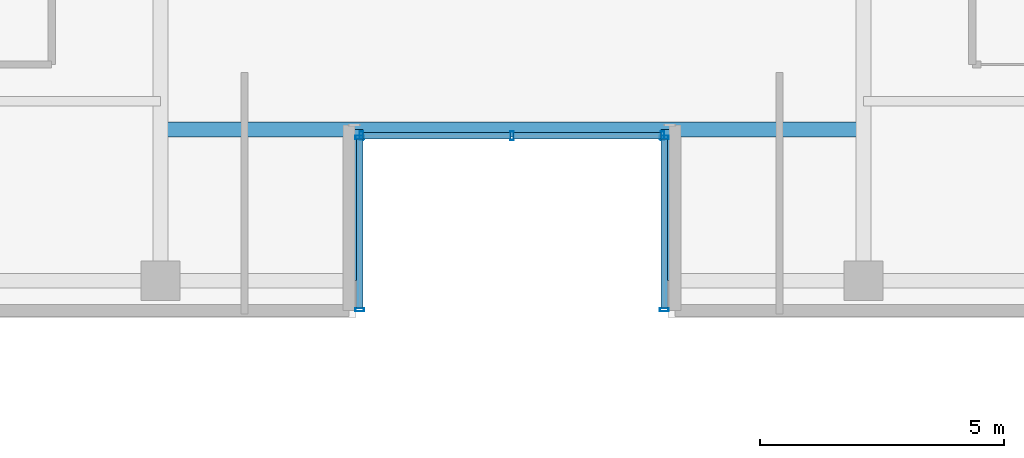
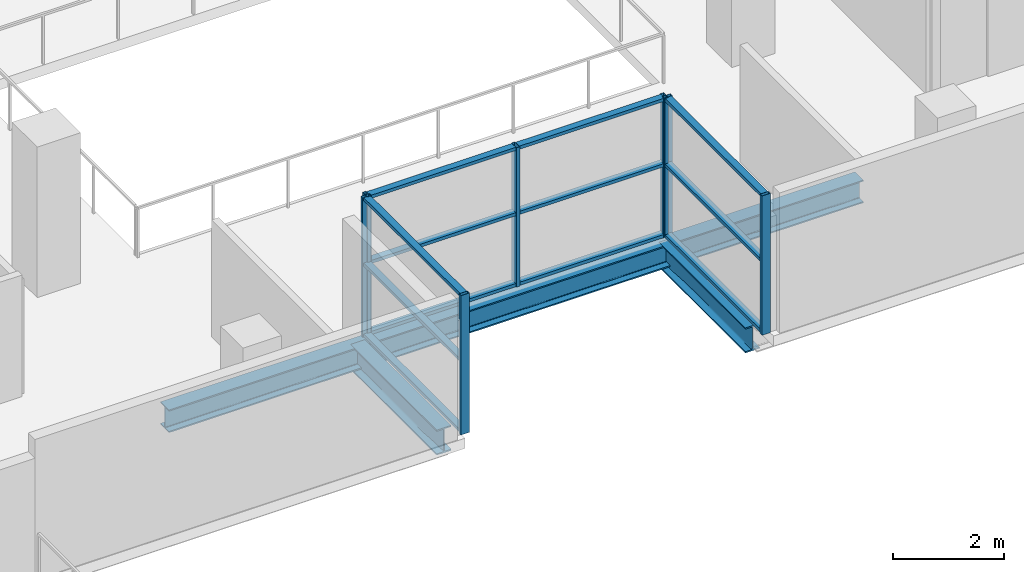
# One storey, part 3 of 23: 19 members, 3 beams, 3 elements without a shape of their own.
"""IFC4 building model written with IfcOpenShell, lengths in metres."""

from ifc_helpers import new_model, si_unit, direction, frame, origin, origin_2d, place, context, subcontext, project, spatial, hollow_rectangle, i_section, extrude, source, transform, mapped, material, layer, layer_set, material_profile, profile_set, type_object, element, aggregate, save


model = new_model("IFC4")

# Units and contexts
model_context = context("Model", 3, precision=1e-05, world=origin(), true_north=direction((0.0, 1.0)))
body_context = subcontext(model_context, "Body", "Model", "MODEL_VIEW")
ifc_project = project(units=[si_unit("LENGTHUNIT", "METRE"), si_unit("AREAUNIT", "SQUARE_METRE"), si_unit("VOLUMEUNIT", "CUBIC_METRE"), si_unit("PLANEANGLEUNIT", "RADIAN"), si_unit("MASSUNIT", "GRAM", prefix="KILO")], contexts=[model_context])

# Site, building, storey
site_placement = place(None, origin())
site = spatial("IfcSite", under=ifc_project, at=site_placement, CompositionType="ELEMENT")
building_placement = place(site_placement, origin())
building = spatial("IfcBuilding", under=site, at=building_placement, Name="Zarnakvel Exchange Tower", CompositionType="ELEMENT")
storey_placement = place(building_placement, frame((0.0, 0.0, 116.5)))
storey = spatial("IfcBuildingStorey", under=building, at=storey_placement, Name="L32", CompositionType="ELEMENT", Elevation=116.5)

# Beams
ifc_material_1 = material(Name="Steel S355", Category="steel")
ifc_material_profile_1 = material_profile(ifc_material_1, i_section(OverallWidth=0.300048828125, OverallDepth=0.550048828125, WebThickness=0.014892578125, FlangeThickness=0.029052734375, FilletRadius=0.027099609375, at=origin_2d()))
ifc_profile_set_1 = profile_set([ifc_material_profile_1], Name="Steel S355")
beam_type_1 = type_object("IfcBeamType", Name="G-05", PredefinedType="BEAM", material=ifc_profile_set_1)
for number, where, z_axis, x_axis, name in (
    (1, (-3.199951171875, -16.949951171875, -0.5), (0.0, 1.0, 0.0), (-1.0, 0.0, 0.0), "L32 South Slot West Cheek Beam"),
    (2, (3.199951171875, -16.949951171875, -0.5), (0.0, 1.0, 0.0), (-1.0, 0.0, 0.0), "L32 South Slot East Cheek Beam"),
):
    element("IfcBeam", number, at=place(storey_placement, frame(where, z_axis=z_axis, x_axis=x_axis)), inside=storey, type_object=beam_type_1, Name=name, PredefinedType="BEAM", context=body_context, shape_type="SweptSolid", body=[
        extrude(i_section(OverallWidth=0.300048828125, OverallDepth=0.550048828125, WebThickness=0.014892578125, FlangeThickness=0.029052734375, FilletRadius=0.027099609375, at=origin_2d()), origin(), (0.0, 0.0, 1.0), 3.099853515625),
    ])
ifc_material_profile_2 = material_profile(ifc_material_1, i_section(OverallWidth=0.300048828125, OverallDepth=0.5, WebThickness=0.014404296875, FlangeThickness=0.028076171875, FilletRadius=0.027099609375, at=origin_2d()))
ifc_profile_set_2 = profile_set([ifc_material_profile_2], Name="Steel S355")
beam_type_2 = type_object("IfcBeamType", Name="SP-02", PredefinedType="SPANDREL", material=ifc_profile_set_2)
beam_placement = place(storey_placement, frame((-7.199951171875, -13.85009765625, -0.47509765625), z_axis=(1.0, 0.0, 0.0), x_axis=(0.0, 1.0, 0.0)))
element("IfcBeam", 3, at=beam_placement, inside=storey, type_object=beam_type_2, Name="L32 South Slot Head Trimmer Girder", PredefinedType="SPANDREL", context=body_context, shape_type="SweptSolid", body=[
    extrude(i_section(OverallWidth=0.300048828125, OverallDepth=0.5, WebThickness=0.014404296875, FlangeThickness=0.028076171875, FilletRadius=0.027099609375, at=origin_2d()), origin(), (0.0, 0.0, 1.0), 14.39990234375),
])

# Curtain wall, members
ifc_material_2 = material(Name="Architectural Bronze Anodised Aluminium", Category="aluminium")
ifc_layer = layer(ifc_material_2, 0.179931640625)
ifc_layer_set = layer_set([ifc_layer], Name="Architectural Bronze Anodised Aluminium")
curtain_wall_type = type_object("IfcCurtainWallType", Name="CW-05", PredefinedType="NOTDEFINED", material=ifc_layer_set)
curtain_wall_1_placement = place(storey_placement, origin())
curtain_wall_1 = element("IfcCurtainWall", 4, at=curtain_wall_1_placement, inside=storey, type_object=curtain_wall_type, Name="L32 Curtain Wall CW-L32-SLW (CW-05)", PredefinedType="NOTDEFINED")
ifc_material_profile_3 = material_profile(ifc_material_2, hollow_rectangle(XDim=0.139892578125, YDim=0.070068359375, WallThickness=0.00390625, at=origin_2d()))
ifc_profile_set_3 = profile_set([ifc_material_profile_3], Name="Architectural Bronze Anodised Aluminium")
member_type_1 = type_object("IfcMemberType", Name="CWT-05", PredefinedType="USERDEFINED", material=ifc_profile_set_3)
shared_shape_1 = source(origin(), body_context, "Body", "SweptSolid", [
    extrude(hollow_rectangle(XDim=0.139892578125, YDim=0.070068359375, WallThickness=0.00390625, at=origin_2d()), origin(), (0.0, 0.0, 1.0), 3.4599609375),
])
member_1_placement = place(storey_placement, frame((-3.1201171875, -17.510009765625, 0.034912109375), z_axis=(0.0, 1.0, 0.0), x_axis=(-1.0, 0.0, 0.0)))
member_1 = element("IfcMember", 5, at=member_1_placement, type_object=member_type_1, Name="CW-05 transom 1.1", ObjectType="TRANSOM", PredefinedType="USERDEFINED", context=body_context, shape_type="MappedRepresentation", body=[
    mapped(shared_shape_1, transform((0.0, 0.0, 0.0), x_axis=(1.0, 0.0, 0.0), y_axis=(0.0, 1.0, 0.0), z_axis=(0.0, 0.0, 1.0), scale=1.0)),
])
member_2_placement = place(storey_placement, frame((-3.1201171875, -17.510009765625, 1.588623046875), z_axis=(0.0, 1.0, 0.0), x_axis=(-1.0, 0.0, 0.0)))
member_2 = element("IfcMember", 6, at=member_2_placement, type_object=member_type_1, Name="CW-05 transom 1.2", ObjectType="TRANSOM", PredefinedType="USERDEFINED", context=body_context, shape_type="MappedRepresentation", body=[
    mapped(shared_shape_1, transform((0.0, 0.0, 0.0), x_axis=(1.0, 0.0, 0.0), y_axis=(0.0, 1.0, 0.0), z_axis=(0.0, 0.0, 1.0), scale=1.0)),
])
member_3_placement = place(storey_placement, frame((-3.1201171875, -17.510009765625, 3.02001953125), z_axis=(0.0, 1.0, 0.0), x_axis=(-1.0, 0.0, 0.0)))
member_3 = element("IfcMember", 7, at=member_3_placement, type_object=member_type_1, Name="CW-05 transom 1.3", ObjectType="TRANSOM", PredefinedType="USERDEFINED", context=body_context, shape_type="MappedRepresentation", body=[
    mapped(shared_shape_1, transform((0.0, 0.0, 0.0), x_axis=(1.0, 0.0, 0.0), y_axis=(0.0, 1.0, 0.0), z_axis=(0.0, 0.0, 1.0), scale=1.0)),
])

curtain_wall_2_placement = place(storey_placement, origin())
curtain_wall_2 = element("IfcCurtainWall", 8, at=curtain_wall_2_placement, inside=storey, type_object=curtain_wall_type, Name="L32 Curtain Wall CW-L32-SLE (CW-05)", PredefinedType="NOTDEFINED")
member_4_placement = place(storey_placement, frame((3.1201171875, -14.050048828125, 0.034912109375), z_axis=(0.0, -1.0, 0.0), x_axis=(1.0, 0.0, 0.0)))
member_4 = element("IfcMember", 9, at=member_4_placement, type_object=member_type_1, Name="CW-05 transom 1.1", ObjectType="TRANSOM", PredefinedType="USERDEFINED", context=body_context, shape_type="MappedRepresentation", body=[
    mapped(shared_shape_1, transform((0.0, 0.0, 0.0), x_axis=(1.0, 0.0, 0.0), y_axis=(0.0, 1.0, 0.0), z_axis=(0.0, 0.0, 1.0), scale=1.0)),
])
member_5_placement = place(storey_placement, frame((3.1201171875, -14.050048828125, 1.588623046875), z_axis=(0.0, -1.0, 0.0), x_axis=(1.0, 0.0, 0.0)))
member_5 = element("IfcMember", 10, at=member_5_placement, type_object=member_type_1, Name="CW-05 transom 1.2", ObjectType="TRANSOM", PredefinedType="USERDEFINED", context=body_context, shape_type="MappedRepresentation", body=[
    mapped(shared_shape_1, transform((0.0, 0.0, 0.0), x_axis=(1.0, 0.0, 0.0), y_axis=(0.0, 1.0, 0.0), z_axis=(0.0, 0.0, 1.0), scale=1.0)),
])
member_6_placement = place(storey_placement, frame((3.1201171875, -14.050048828125, 3.02001953125), z_axis=(0.0, -1.0, 0.0), x_axis=(1.0, 0.0, 0.0)))
member_6 = element("IfcMember", 11, at=member_6_placement, type_object=member_type_1, Name="CW-05 transom 1.3", ObjectType="TRANSOM", PredefinedType="USERDEFINED", context=body_context, shape_type="MappedRepresentation", body=[
    mapped(shared_shape_1, transform((0.0, 0.0, 0.0), x_axis=(1.0, 0.0, 0.0), y_axis=(0.0, 1.0, 0.0), z_axis=(0.0, 0.0, 1.0), scale=1.0)),
])

curtain_wall_3_placement = place(storey_placement, origin())
curtain_wall_3 = element("IfcCurtainWall", 12, at=curtain_wall_3_placement, inside=storey, type_object=curtain_wall_type, Name="L32 Curtain Wall CW-L32-SLB (CW-05)", PredefinedType="NOTDEFINED")
shared_shape_2 = source(origin(), body_context, "Body", "SweptSolid", [
    extrude(hollow_rectangle(XDim=0.139892578125, YDim=0.070068359375, WallThickness=0.00390625, at=origin_2d()), origin(), (0.0, 0.0, 1.0), 3.01513671875),
])
member_7_placement = place(storey_placement, frame((-3.050048828125, -13.97998046875, 0.034912109375), z_axis=(1.0, 0.0, 0.0), x_axis=(0.0, 1.0, 0.0)))
member_7 = element("IfcMember", 13, at=member_7_placement, type_object=member_type_1, Name="CW-05 transom 1.1", ObjectType="TRANSOM", PredefinedType="USERDEFINED", context=body_context, shape_type="MappedRepresentation", body=[
    mapped(shared_shape_2, transform((0.0, 0.0, 0.0), x_axis=(1.0, 0.0, 0.0), y_axis=(0.0, 1.0, 0.0), z_axis=(0.0, 0.0, 1.0), scale=1.0)),
])
member_8_placement = place(storey_placement, frame((-3.050048828125, -13.97998046875, 1.588623046875), z_axis=(1.0, 0.0, 0.0), x_axis=(0.0, 1.0, 0.0)))
member_8 = element("IfcMember", 14, at=member_8_placement, type_object=member_type_1, Name="CW-05 transom 1.2", ObjectType="TRANSOM", PredefinedType="USERDEFINED", context=body_context, shape_type="MappedRepresentation", body=[
    mapped(shared_shape_2, transform((0.0, 0.0, 0.0), x_axis=(1.0, 0.0, 0.0), y_axis=(0.0, 1.0, 0.0), z_axis=(0.0, 0.0, 1.0), scale=1.0)),
])
member_9_placement = place(storey_placement, frame((-3.050048828125, -13.97998046875, 3.02001953125), z_axis=(1.0, 0.0, 0.0), x_axis=(0.0, 1.0, 0.0)))
member_9 = element("IfcMember", 15, at=member_9_placement, type_object=member_type_1, Name="CW-05 transom 1.3", ObjectType="TRANSOM", PredefinedType="USERDEFINED", context=body_context, shape_type="MappedRepresentation", body=[
    mapped(shared_shape_2, transform((0.0, 0.0, 0.0), x_axis=(1.0, 0.0, 0.0), y_axis=(0.0, 1.0, 0.0), z_axis=(0.0, 0.0, 1.0), scale=1.0)),
])
member_10_placement = place(storey_placement, frame((0.034912109375, -13.97998046875, 0.034912109375), z_axis=(1.0, 0.0, 0.0), x_axis=(0.0, 1.0, 0.0)))
member_10 = element("IfcMember", 16, at=member_10_placement, type_object=member_type_1, Name="CW-05 transom 2.1", ObjectType="TRANSOM", PredefinedType="USERDEFINED", context=body_context, shape_type="MappedRepresentation", body=[
    mapped(shared_shape_2, transform((0.0, 0.0, 0.0), x_axis=(1.0, 0.0, 0.0), y_axis=(0.0, 1.0, 0.0), z_axis=(0.0, 0.0, 1.0), scale=1.0)),
])
member_11_placement = place(storey_placement, frame((0.034912109375, -13.97998046875, 1.588623046875), z_axis=(1.0, 0.0, 0.0), x_axis=(0.0, 1.0, 0.0)))
member_11 = element("IfcMember", 17, at=member_11_placement, type_object=member_type_1, Name="CW-05 transom 2.2", ObjectType="TRANSOM", PredefinedType="USERDEFINED", context=body_context, shape_type="MappedRepresentation", body=[
    mapped(shared_shape_2, transform((0.0, 0.0, 0.0), x_axis=(1.0, 0.0, 0.0), y_axis=(0.0, 1.0, 0.0), z_axis=(0.0, 0.0, 1.0), scale=1.0)),
])
member_12_placement = place(storey_placement, frame((0.034912109375, -13.97998046875, 3.02001953125), z_axis=(1.0, 0.0, 0.0), x_axis=(0.0, 1.0, 0.0)))
member_12 = element("IfcMember", 18, at=member_12_placement, type_object=member_type_1, Name="CW-05 transom 2.3", ObjectType="TRANSOM", PredefinedType="USERDEFINED", context=body_context, shape_type="MappedRepresentation", body=[
    mapped(shared_shape_2, transform((0.0, 0.0, 0.0), x_axis=(1.0, 0.0, 0.0), y_axis=(0.0, 1.0, 0.0), z_axis=(0.0, 0.0, 1.0), scale=1.0)),
])

# Member
ifc_material_profile_4 = material_profile(ifc_material_2, hollow_rectangle(XDim=0.179931640625, YDim=0.070068359375, WallThickness=0.00390625, at=origin_2d()))
ifc_profile_set_4 = profile_set([ifc_material_profile_4], Name="Architectural Bronze Anodised Aluminium")
member_type_2 = type_object("IfcMemberType", Name="CWM-05", PredefinedType="MULLION", material=ifc_profile_set_4)
shared_shape_3 = source(origin(), body_context, "Body", "SweptSolid", [
    extrude(hollow_rectangle(XDim=0.179931640625, YDim=0.070068359375, WallThickness=0.00390625, at=origin_2d()), origin(), (0.0, 0.0, 1.0), 3.054931640625),
])
member_13_placement = place(storey_placement, frame((-3.1201171875, -17.544921875, 0.0), z_axis=(0.0, 0.0, 1.0), x_axis=(-1.0, 0.0, 0.0)))
member_13 = element("IfcMember", 19, at=member_13_placement, type_object=member_type_2, Name="CW-05 mullion 1", PredefinedType="MULLION", context=body_context, shape_type="MappedRepresentation", body=[
    mapped(shared_shape_3, transform((0.0, 0.0, 0.0), x_axis=(1.0, 0.0, 0.0), y_axis=(0.0, 1.0, 0.0), z_axis=(0.0, 0.0, 1.0), scale=1.0)),
])

member_14_placement = place(storey_placement, frame((-3.1201171875, -14.014892578125, 0.0), z_axis=(0.0, 0.0, 1.0), x_axis=(-1.0, 0.0, 0.0)))
member_14 = element("IfcMember", 20, at=member_14_placement, type_object=member_type_2, Name="CW-05 mullion 2", PredefinedType="MULLION", context=body_context, shape_type="MappedRepresentation", body=[
    mapped(shared_shape_3, transform((0.0, 0.0, 0.0), x_axis=(1.0, 0.0, 0.0), y_axis=(0.0, 1.0, 0.0), z_axis=(0.0, 0.0, 1.0), scale=1.0)),
])

aggregate(curtain_wall_1, [member_13, member_14, member_1, member_2, member_3])

member_15_placement = place(storey_placement, frame((-3.0849609375, -13.97998046875, 0.0), z_axis=(0.0, 0.0, 1.0), x_axis=(0.0, 1.0, 0.0)))
member_15 = element("IfcMember", 21, at=member_15_placement, type_object=member_type_2, Name="CW-05 mullion 1", PredefinedType="MULLION", context=body_context, shape_type="MappedRepresentation", body=[
    mapped(shared_shape_3, transform((0.0, 0.0, 0.0), x_axis=(1.0, 0.0, 0.0), y_axis=(0.0, 1.0, 0.0), z_axis=(0.0, 0.0, 1.0), scale=1.0)),
])

member_16_placement = place(storey_placement, frame((0.0, -13.97998046875, 0.0), z_axis=(0.0, 0.0, 1.0), x_axis=(0.0, 1.0, 0.0)))
member_16 = element("IfcMember", 22, at=member_16_placement, type_object=member_type_2, Name="CW-05 mullion 2", PredefinedType="MULLION", context=body_context, shape_type="MappedRepresentation", body=[
    mapped(shared_shape_3, transform((0.0, 0.0, 0.0), x_axis=(1.0, 0.0, 0.0), y_axis=(0.0, 1.0, 0.0), z_axis=(0.0, 0.0, 1.0), scale=1.0)),
])

member_17_placement = place(storey_placement, frame((3.0849609375, -13.97998046875, 0.0), z_axis=(0.0, 0.0, 1.0), x_axis=(0.0, 1.0, 0.0)))
member_17 = element("IfcMember", 23, at=member_17_placement, type_object=member_type_2, Name="CW-05 mullion 3", PredefinedType="MULLION", context=body_context, shape_type="MappedRepresentation", body=[
    mapped(shared_shape_3, transform((0.0, 0.0, 0.0), x_axis=(1.0, 0.0, 0.0), y_axis=(0.0, 1.0, 0.0), z_axis=(0.0, 0.0, 1.0), scale=1.0)),
])

aggregate(curtain_wall_3, [member_15, member_16, member_17, member_7, member_8, member_9, member_10, member_11, member_12])

member_18_placement = place(storey_placement, frame((3.1201171875, -14.014892578125, 0.0), z_axis=(0.0, 0.0, 1.0), x_axis=(1.0, 0.0, 0.0)))
member_18 = element("IfcMember", 24, at=member_18_placement, type_object=member_type_2, Name="CW-05 mullion 1", PredefinedType="MULLION", context=body_context, shape_type="MappedRepresentation", body=[
    mapped(shared_shape_3, transform((0.0, 0.0, 0.0), x_axis=(1.0, 0.0, 0.0), y_axis=(0.0, 1.0, 0.0), z_axis=(0.0, 0.0, 1.0), scale=1.0)),
])

member_19_placement = place(storey_placement, frame((3.1201171875, -17.544921875, 0.0), z_axis=(0.0, 0.0, 1.0), x_axis=(1.0, 0.0, 0.0)))
member_19 = element("IfcMember", 25, at=member_19_placement, type_object=member_type_2, Name="CW-05 mullion 2", PredefinedType="MULLION", context=body_context, shape_type="MappedRepresentation", body=[
    mapped(shared_shape_3, transform((0.0, 0.0, 0.0), x_axis=(1.0, 0.0, 0.0), y_axis=(0.0, 1.0, 0.0), z_axis=(0.0, 0.0, 1.0), scale=1.0)),
])

aggregate(curtain_wall_2, [member_18, member_19, member_4, member_5, member_6])

save(model, "model.ifc")
